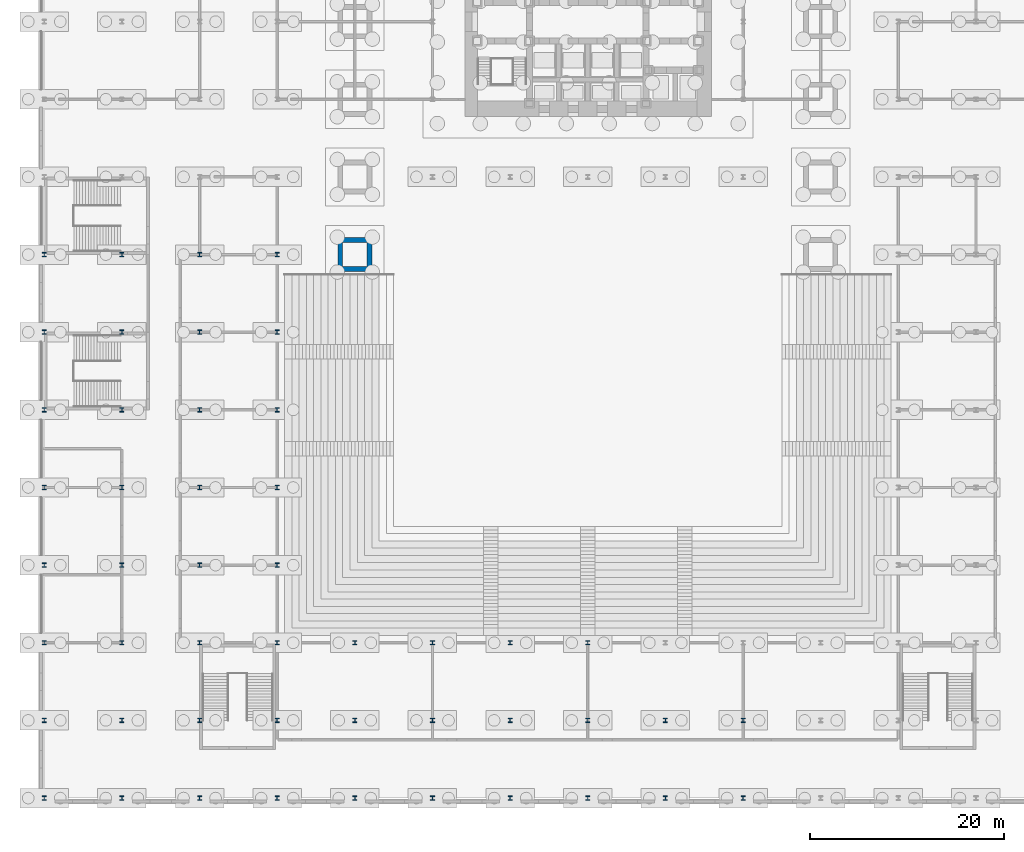
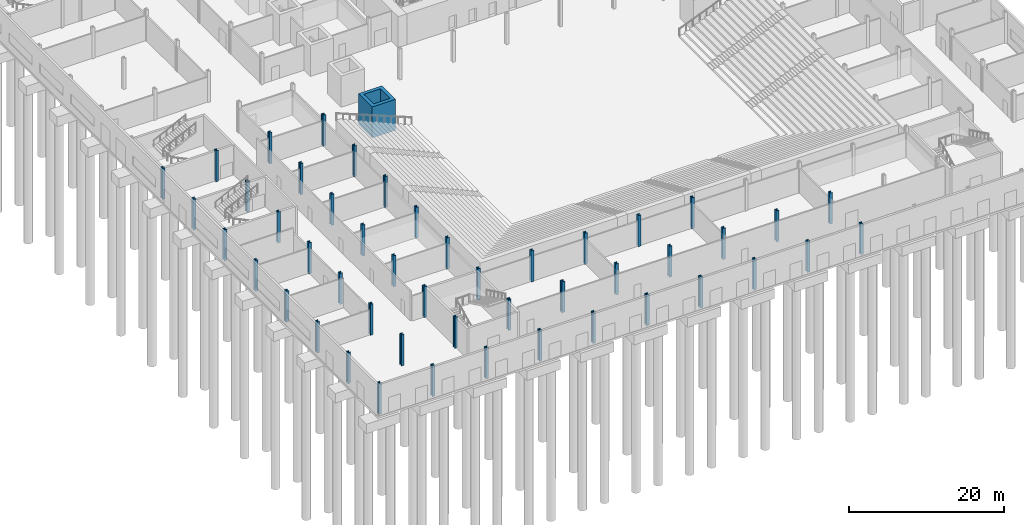
# One storey, part 4 of 24: 49 columns.
"""IFC4 building model written with IfcOpenShell, lengths in metres."""

from ifc_helpers import new_model, si_unit, direction, frame, origin, origin_2d, place, context, subcontext, project, spatial, hollow_rectangle, i_section, extrude, material, material_profile, profile_set, type_object, element, save


model = new_model("IFC4")

# Units and contexts
model_context = context("Model", 3, precision=1e-05, world=origin(), true_north=direction((0.0, 1.0)))
body_context = subcontext(model_context, "Body", "Model", "MODEL_VIEW")
ifc_project = project(units=[si_unit("LENGTHUNIT", "METRE"), si_unit("AREAUNIT", "SQUARE_METRE"), si_unit("VOLUMEUNIT", "CUBIC_METRE"), si_unit("PLANEANGLEUNIT", "RADIAN"), si_unit("MASSUNIT", "GRAM", prefix="KILO")], contexts=[model_context])

# Site, building, storey
site_placement = place(None, origin())
site = spatial("IfcSite", under=ifc_project, at=site_placement, CompositionType="ELEMENT")
building_placement = place(site_placement, origin())
building = spatial("IfcBuilding", under=site, at=building_placement, Name="Daluyong Arena Tower", CompositionType="ELEMENT")
storey_placement = place(building_placement, origin())
storey = spatial("IfcBuildingStorey", under=building, at=storey_placement, Name="L00", CompositionType="ELEMENT", Elevation=0.0)

# Columns
ifc_material_1 = material(Name="Steel ASTM A913 Grade 65", Category="steel")
ifc_material_profile_1 = material_profile(ifc_material_1, i_section(OverallWidth=0.419189453125, OverallDepth=0.45458984375, WebThickness=0.042236328125, FlangeThickness=0.067626953125, at=origin_2d()))
ifc_profile_set_1 = profile_set([ifc_material_profile_1], Name="Steel ASTM A913 Grade 65")
column_type_1 = type_object("IfcColumnType", Name="Podium column W14X370", PredefinedType="COLUMN", material=ifc_profile_set_1)
for number, where, z_axis, x_axis, name in (
    (1, (0.0, 0.0, 0.0), (0.0, 0.0, 1.0), (1.0, 0.0, 0.0), "podium column PC1"),
    (2, (0.0, 8.0, 0.0), (0.0, 0.0, 1.0), (1.0, 0.0, 0.0), "podium column PC1"),
    (3, (0.0, 16.0, 0.0), (0.0, 0.0, 1.0), (1.0, 0.0, 0.0), "podium column PC1"),
    (4, (0.0, 24.0, 0.0), (0.0, 0.0, 1.0), (1.0, 0.0, 0.0), "podium column PC1"),
    (5, (0.0, 32.0, 0.0), (0.0, 0.0, 1.0), (1.0, 0.0, 0.0), "podium column PC1"),
    (6, (0.0, 40.0, 0.0), (0.0, 0.0, 1.0), (1.0, 0.0, 0.0), "podium column PC1"),
    (7, (0.0, 48.0, 0.0), (0.0, 0.0, 1.0), (1.0, 0.0, 0.0), "podium column PC1"),
    (8, (0.0, 56.0, 0.0), (0.0, 0.0, 1.0), (1.0, 0.0, 0.0), "podium column PC1"),
    (9, (8.0, 0.0, 0.0), (0.0, 0.0, 1.0), (1.0, 0.0, 0.0), "podium column PC1"),
    (10, (8.0, 8.0, 0.0), (0.0, 0.0, 1.0), (1.0, 0.0, 0.0), "podium column PC1"),
    (11, (8.0, 16.0, 0.0), (0.0, 0.0, 1.0), (1.0, 0.0, 0.0), "podium column PC1"),
    (12, (8.0, 24.0, 0.0), (0.0, 0.0, 1.0), (1.0, 0.0, 0.0), "podium column PC1"),
    (13, (8.0, 32.0, 0.0), (0.0, 0.0, 1.0), (1.0, 0.0, 0.0), "podium column PC1"),
    (14, (8.0, 40.0, 0.0), (0.0, 0.0, 1.0), (1.0, 0.0, 0.0), "podium column PC1"),
    (15, (8.0, 48.0, 0.0), (0.0, 0.0, 1.0), (1.0, 0.0, 0.0), "podium column PC1"),
    (16, (8.0, 56.0, 0.0), (0.0, 0.0, 1.0), (1.0, 0.0, 0.0), "podium column PC1"),
    (17, (16.0, 0.0, 0.0), (0.0, 0.0, 1.0), (1.0, 0.0, 0.0), "podium column PC1"),
    (18, (16.0, 8.0, 0.0), (0.0, 0.0, 1.0), (1.0, 0.0, 0.0), "podium column PC1"),
    (19, (16.0, 16.0, 0.0), (0.0, 0.0, 1.0), (1.0, 0.0, 0.0), "podium column PC1"),
    (20, (16.0, 24.0, 0.0), (0.0, 0.0, 1.0), (1.0, 0.0, 0.0), "podium column PC1"),
    (21, (16.0, 32.0, 0.0), (0.0, 0.0, 1.0), (1.0, 0.0, 0.0), "podium column PC1"),
    (22, (16.0, 40.0, 0.0), (0.0, 0.0, 1.0), (1.0, 0.0, 0.0), "podium column PC1"),
    (23, (16.0, 48.0, 0.0), (0.0, 0.0, 1.0), (1.0, 0.0, 0.0), "podium column PC1"),
    (24, (16.0, 56.0, 0.0), (0.0, 0.0, 1.0), (1.0, 0.0, 0.0), "podium column PC1"),
    (25, (24.0, 0.0, 0.0), (0.0, 0.0, 1.0), (1.0, 0.0, 0.0), "podium column PC1"),
    (26, (24.0, 8.0, 0.0), (0.0, 0.0, 1.0), (1.0, 0.0, 0.0), "podium column PC1"),
    (27, (24.0, 16.0, 0.0), (0.0, 0.0, 1.0), (1.0, 0.0, 0.0), "podium column PC1"),
    (28, (24.0, 24.0, 0.0), (0.0, 0.0, 1.0), (1.0, 0.0, 0.0), "podium column PC1"),
    (29, (24.0, 32.0, 0.0), (0.0, 0.0, 1.0), (1.0, 0.0, 0.0), "podium column PC1"),
    (30, (24.0, 40.0, 0.0), (0.0, 0.0, 1.0), (1.0, 0.0, 0.0), "podium column PC1"),
    (31, (24.0, 48.0, 0.0), (0.0, 0.0, 1.0), (1.0, 0.0, 0.0), "podium column PC1"),
    (32, (24.0, 56.0, 0.0), (0.0, 0.0, 1.0), (1.0, 0.0, 0.0), "podium column PC1"),
    (33, (32.0, 0.0, 0.0), (0.0, 0.0, 1.0), (1.0, 0.0, 0.0), "podium column PC1"),
    (34, (32.0, 8.0, 0.0), (0.0, 0.0, 1.0), (1.0, 0.0, 0.0), "podium column PC1"),
    (35, (32.0, 16.0, 0.0), (0.0, 0.0, 1.0), (1.0, 0.0, 0.0), "podium column PC1"),
    (36, (40.0, 0.0, 0.0), (0.0, 0.0, 1.0), (1.0, 0.0, 0.0), "podium column PC1"),
    (37, (40.0, 8.0, 0.0), (0.0, 0.0, 1.0), (1.0, 0.0, 0.0), "podium column PC1"),
    (38, (40.0, 16.0, 0.0), (0.0, 0.0, 1.0), (1.0, 0.0, 0.0), "podium column PC1"),
    (39, (48.0, 0.0, 0.0), (0.0, 0.0, 1.0), (1.0, 0.0, 0.0), "podium column PC1"),
    (40, (48.0, 8.0, 0.0), (0.0, 0.0, 1.0), (1.0, 0.0, 0.0), "podium column PC1"),
    (41, (48.0, 16.0, 0.0), (0.0, 0.0, 1.0), (1.0, 0.0, 0.0), "podium column PC1"),
    (42, (56.0, 0.0, 0.0), (0.0, 0.0, 1.0), (1.0, 0.0, 0.0), "podium column PC1"),
    (43, (56.0, 8.0, 0.0), (0.0, 0.0, 1.0), (1.0, 0.0, 0.0), "podium column PC1"),
    (44, (56.0, 16.0, 0.0), (0.0, 0.0, 1.0), (1.0, 0.0, 0.0), "podium column PC1"),
    (45, (64.0, 0.0, 0.0), (0.0, 0.0, 1.0), (1.0, 0.0, 0.0), "podium column PC1"),
    (46, (64.0, 8.0, 0.0), (0.0, 0.0, 1.0), (1.0, 0.0, 0.0), "podium column PC1"),
    (47, (72.0, 0.0, 0.0), (0.0, 0.0, 1.0), (1.0, 0.0, 0.0), "podium column PC1"),
    (48, (72.0, 8.0, 0.0), (0.0, 0.0, 1.0), (1.0, 0.0, 0.0), "podium column PC1"),
):
    element("IfcColumn", number, at=place(storey_placement, frame(where, z_axis=z_axis, x_axis=x_axis)), inside=storey, type_object=column_type_1, Name=name, PredefinedType="COLUMN", context=body_context, shape_type="SweptSolid", body=[
        extrude(i_section(OverallWidth=0.419189453125, OverallDepth=0.45458984375, WebThickness=0.042236328125, FlangeThickness=0.067626953125, at=origin_2d()), origin(), (0.0, 0.0, 1.0), 4.89990234375),
    ])
ifc_material_2 = material(Name="Steel ASTM A36", Category="steel")
ifc_material_profile_2 = material_profile(ifc_material_2, hollow_rectangle(XDim=3.5, YDim=3.5, WallThickness=0.5, at=origin_2d()))
ifc_profile_set_2 = profile_set([ifc_material_profile_2], Name="Steel ASTM A36")
column_type_2 = type_object("IfcColumnType", Name="Podium megacolumn BX3500X500", PredefinedType="COLUMN", material=ifc_profile_set_2)
column_placement = place(storey_placement, frame((32.0, 56.0, 0.0), z_axis=(0.0, 0.0, 1.0), x_axis=(1.0, 0.0, 0.0)))
element("IfcColumn", 49, at=column_placement, inside=storey, type_object=column_type_2, Name="podium megacolumn MC1", PredefinedType="COLUMN", context=body_context, shape_type="SweptSolid", body=[
    extrude(hollow_rectangle(XDim=3.5, YDim=3.5, WallThickness=0.5, at=origin_2d()), origin(), (0.0, 0.0, 1.0), 4.89990234375),
])

save(model, "model.ifc")
